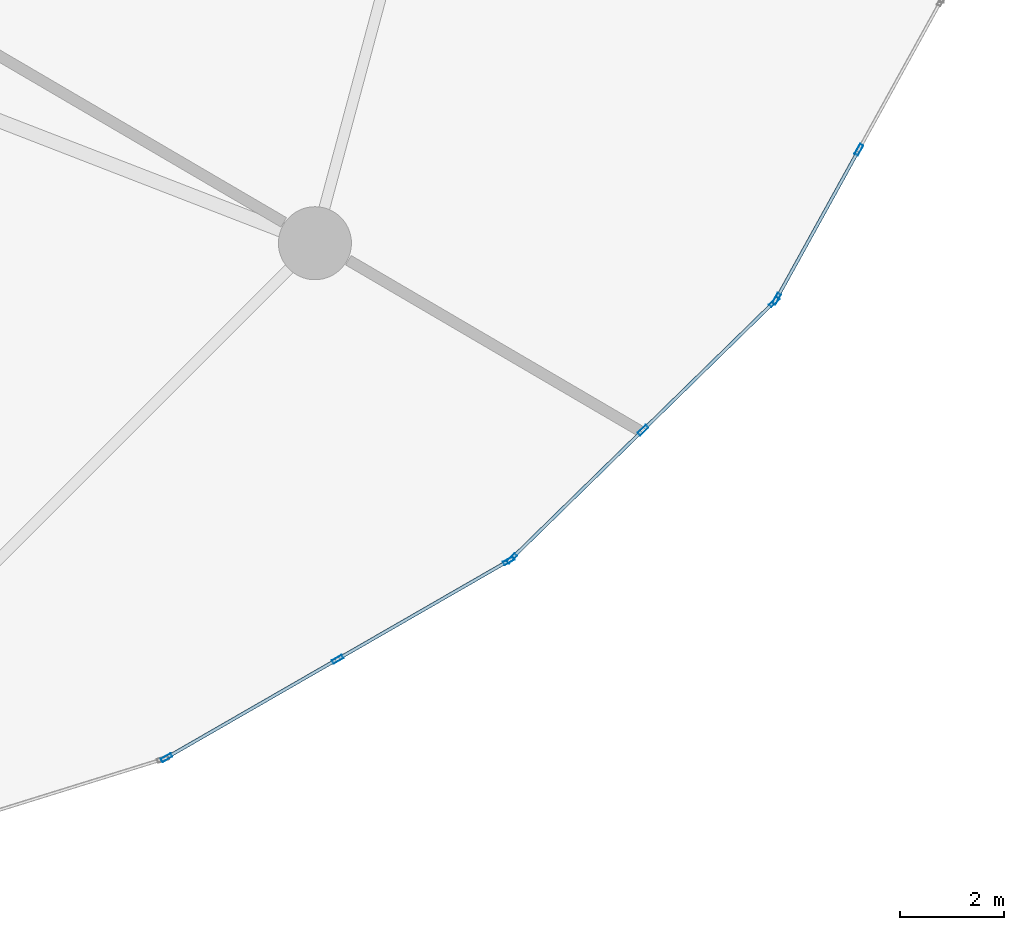
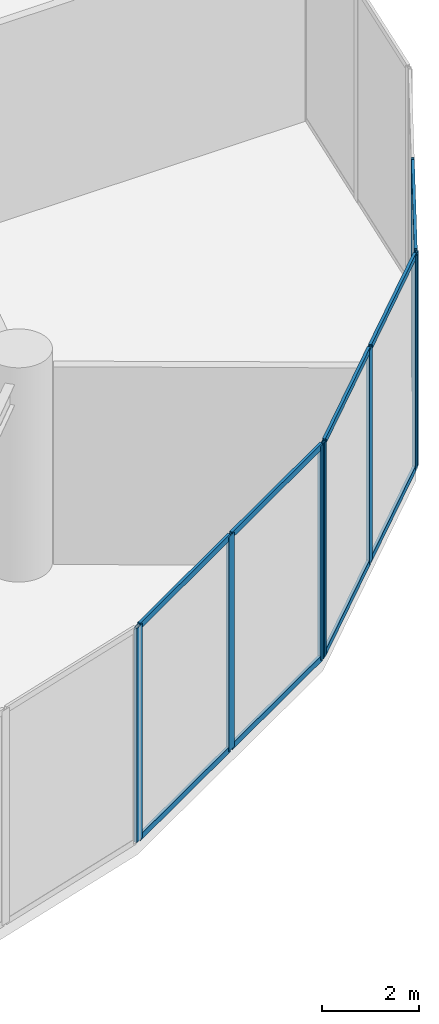
# One storey, part 11 of 29: 18 members, 3 elements without a shape of their own.
"""IFC4 building model written with IfcOpenShell, lengths in metres."""

from ifc_helpers import new_model, si_unit, direction, frame, origin, origin_2d, place, context, subcontext, project, spatial, hollow_rectangle, extrude, source, transform, mapped, material, layer, layer_set, material_profile, profile_set, type_object, element, aggregate, save


model = new_model("IFC4")

# Units and contexts
model_context = context("Model", 3, precision=1e-05, world=origin(), true_north=direction((0.0, 1.0)))
body_context = subcontext(model_context, "Body", "Model", "MODEL_VIEW")
ifc_project = project(units=[si_unit("LENGTHUNIT", "METRE"), si_unit("AREAUNIT", "SQUARE_METRE"), si_unit("VOLUMEUNIT", "CUBIC_METRE"), si_unit("PLANEANGLEUNIT", "RADIAN"), si_unit("MASSUNIT", "GRAM", prefix="KILO")], contexts=[model_context])

# Site, building, storey
site_placement = place(None, origin())
site = spatial("IfcSite", under=ifc_project, at=site_placement, CompositionType="ELEMENT")
building_placement = place(site_placement, origin())
building = spatial("IfcBuilding", under=site, at=building_placement, Name="Solvirekh Grand Hotel", CompositionType="ELEMENT")
storey_placement = place(building_placement, frame((0.0, 0.0, 7.199951171875)))
storey = spatial("IfcBuildingStorey", under=building, at=storey_placement, Name="L01", CompositionType="ELEMENT", Elevation=7.199951171875)

# Curtain wall, members
ifc_material = material(Name="Anodized Bronze Aluminium 6063-T6", Category="aluminium")
ifc_layer = layer(ifc_material, 0.219970703125)
ifc_layer_set = layer_set([ifc_layer], Name="Anodized Bronze Aluminium 6063-T6")
curtain_wall_type = type_object("IfcCurtainWallType", Name="CW_Sys1_PodiumBronzeUnitised", PredefinedType="NOTDEFINED", material=ifc_layer_set)
curtain_wall_1_placement = place(storey_placement, origin())
curtain_wall_1 = element("IfcCurtainWall", 1, at=curtain_wall_1_placement, inside=storey, type_object=curtain_wall_type, Name="L01 unitised bronze-glass curtain wall CW-L01-C21", PredefinedType="NOTDEFINED")
ifc_material_profile_1 = material_profile(ifc_material, hollow_rectangle(XDim=0.074951171875, YDim=0.219970703125, WallThickness=0.006103515625, at=origin_2d()), Name="ALU RHS 220X75X6")
ifc_profile_set_1 = profile_set([ifc_material_profile_1], Name="Anodized Bronze Aluminium 6063-T6")
member_type_1 = type_object("IfcMemberType", Name="CWMullion_Sys1", PredefinedType="MULLION", material=ifc_profile_set_1)
shared_shape_1 = source(origin(), body_context, "Body", "SweptSolid", [
    extrude(hollow_rectangle(XDim=0.074951171875, YDim=0.219970703125, WallThickness=0.006103515625, at=origin_2d()), origin(), (0.0, 0.0, 1.0), 5.400146484375),
])
member_1_placement = place(storey_placement, frame((16.032470703125, -20.766357421875, 0.0), z_axis=(0.0, 0.0, 1.0), x_axis=(-0.498812636829, 0.8667098438, 0.0)))
member_1 = element("IfcMember", 2, at=member_1_placement, type_object=member_type_1, Name="U01 mullion 1", PredefinedType="MULLION", context=body_context, shape_type="MappedRepresentation", body=[
    mapped(shared_shape_1, transform((0.0, 0.0, 0.0), x_axis=(1.0, 0.0, 0.0), y_axis=(0.0, 1.0, 0.0), z_axis=(0.0, 0.0, 1.0), scale=1.0)),
])
member_2_placement = place(storey_placement, frame((19.3134765625, -18.8779296875, 0.0), z_axis=(0.0, 0.0, 1.0), x_axis=(-0.498812636829, 0.8667098438, 0.0)))
member_2 = element("IfcMember", 3, at=member_2_placement, type_object=member_type_1, Name="U01 mullion 2", PredefinedType="MULLION", context=body_context, shape_type="MappedRepresentation", body=[
    mapped(shared_shape_1, transform((0.0, 0.0, 0.0), x_axis=(1.0, 0.0, 0.0), y_axis=(0.0, 1.0, 0.0), z_axis=(0.0, 0.0, 1.0), scale=1.0)),
])
member_3_placement = place(storey_placement, frame((22.594482421875, -16.98974609375, 0.0), z_axis=(0.0, 0.0, 1.0), x_axis=(-0.498812636829, 0.8667098438, 0.0)))
member_3 = element("IfcMember", 4, at=member_3_placement, type_object=member_type_1, Name="U01 mullion 3", PredefinedType="MULLION", context=body_context, shape_type="MappedRepresentation", body=[
    mapped(shared_shape_1, transform((0.0, 0.0, 0.0), x_axis=(1.0, 0.0, 0.0), y_axis=(0.0, 1.0, 0.0), z_axis=(0.0, 0.0, 1.0), scale=1.0)),
])

curtain_wall_2_placement = place(storey_placement, origin())
curtain_wall_2 = element("IfcCurtainWall", 5, at=curtain_wall_2_placement, inside=storey, type_object=curtain_wall_type, Name="L01 unitised bronze-glass curtain wall CW-L01-C22", PredefinedType="NOTDEFINED")
member_4_placement = place(storey_placement, frame((22.65380859375, -16.94482421875, 0.0), z_axis=(0.0, 0.0, 1.0), x_axis=(-0.698975445529, 0.715145668062, 0.0)))
member_4 = element("IfcMember", 6, at=member_4_placement, type_object=member_type_1, Name="U01 mullion 1", PredefinedType="MULLION", context=body_context, shape_type="MappedRepresentation", body=[
    mapped(shared_shape_1, transform((0.0, 0.0, 0.0), x_axis=(1.0, 0.0, 0.0), y_axis=(0.0, 1.0, 0.0), z_axis=(0.0, 0.0, 1.0), scale=1.0)),
])
member_5_placement = place(storey_placement, frame((25.169921875, -14.485595703125, 0.0), z_axis=(0.0, 0.0, 1.0), x_axis=(-0.698975445529, 0.715145668062, 0.0)))
member_5 = element("IfcMember", 7, at=member_5_placement, type_object=member_type_1, Name="U01 mullion 2", PredefinedType="MULLION", context=body_context, shape_type="MappedRepresentation", body=[
    mapped(shared_shape_1, transform((0.0, 0.0, 0.0), x_axis=(1.0, 0.0, 0.0), y_axis=(0.0, 1.0, 0.0), z_axis=(0.0, 0.0, 1.0), scale=1.0)),
])
member_6_placement = place(storey_placement, frame((27.686279296875, -12.026123046875, 0.0), z_axis=(0.0, 0.0, 1.0), x_axis=(-0.698975445529, 0.715145668062, 0.0)))
member_6 = element("IfcMember", 8, at=member_6_placement, type_object=member_type_1, Name="U01 mullion 3", PredefinedType="MULLION", context=body_context, shape_type="MappedRepresentation", body=[
    mapped(shared_shape_1, transform((0.0, 0.0, 0.0), x_axis=(1.0, 0.0, 0.0), y_axis=(0.0, 1.0, 0.0), z_axis=(0.0, 0.0, 1.0), scale=1.0)),
])

curtain_wall_3_placement = place(storey_placement, origin())
curtain_wall_3 = element("IfcCurtainWall", 9, at=curtain_wall_3_placement, inside=storey, type_object=curtain_wall_type, Name="L01 unitised bronze-glass curtain wall CW-L01-C23", PredefinedType="NOTDEFINED")
member_7_placement = place(storey_placement, frame((27.731201171875, -11.96728515625, 0.0), z_axis=(0.0, 0.0, 1.0), x_axis=(-0.875345975229, 0.48349707719, 0.0)))
member_7 = element("IfcMember", 10, at=member_7_placement, type_object=member_type_1, Name="U01 mullion 1", PredefinedType="MULLION", context=body_context, shape_type="MappedRepresentation", body=[
    mapped(shared_shape_1, transform((0.0, 0.0, 0.0), x_axis=(1.0, 0.0, 0.0), y_axis=(0.0, 1.0, 0.0), z_axis=(0.0, 0.0, 1.0), scale=1.0)),
])
member_8_placement = place(storey_placement, frame((29.3115234375, -9.10595703125, 0.0), z_axis=(0.0, 0.0, 1.0), x_axis=(-0.875345975229, 0.48349707719, 0.0)))
member_8 = element("IfcMember", 11, at=member_8_placement, type_object=member_type_1, Name="U01 mullion 2", PredefinedType="MULLION", context=body_context, shape_type="MappedRepresentation", body=[
    mapped(shared_shape_1, transform((0.0, 0.0, 0.0), x_axis=(1.0, 0.0, 0.0), y_axis=(0.0, 1.0, 0.0), z_axis=(0.0, 0.0, 1.0), scale=1.0)),
])
ifc_material_profile_2 = material_profile(ifc_material, hollow_rectangle(XDim=0.06494140625, YDim=0.14990234375, WallThickness=0.0048828125, at=origin_2d()), Name="ALU RHS 150X65X5")
ifc_profile_set_2 = profile_set([ifc_material_profile_2], Name="Anodized Bronze Aluminium 6063-T6")
member_type_2 = type_object("IfcMemberType", Name="CWTransom_Sys1", PredefinedType="USERDEFINED", material=ifc_profile_set_2)
shared_shape_2 = source(origin(), body_context, "Body", "SweptSolid", [
    extrude(hollow_rectangle(XDim=0.06494140625, YDim=0.14990234375, WallThickness=0.0048828125, at=origin_2d()), origin(), (0.0, 0.0, 1.0), 3.193603515625),
])
member_9_placement = place(storey_placement, frame((27.749267578125, -11.934326171875, 0.032470703125), z_axis=(0.483531992025, 0.875326689121, 0.0), x_axis=(-0.875326689121, 0.483531992025, 0.0)))
member_9 = element("IfcMember", 12, at=member_9_placement, type_object=member_type_2, Name="U01 transom 1.1", ObjectType="TRANSOM", PredefinedType="USERDEFINED", context=body_context, shape_type="MappedRepresentation", body=[
    mapped(shared_shape_2, transform((0.0, 0.0, 0.0), x_axis=(1.0, 0.0, 0.0), y_axis=(0.0, 1.0, 0.0), z_axis=(0.0, 0.0, 1.0), scale=1.0)),
])
member_10_placement = place(storey_placement, frame((27.749267578125, -11.934326171875, 5.367431640625), z_axis=(0.483531992025, 0.875326689121, 0.0), x_axis=(-0.875326689121, 0.483531992025, 0.0)))
member_10 = element("IfcMember", 13, at=member_10_placement, type_object=member_type_2, Name="U01 transom 1.2", ObjectType="TRANSOM", PredefinedType="USERDEFINED", context=body_context, shape_type="MappedRepresentation", body=[
    mapped(shared_shape_2, transform((0.0, 0.0, 0.0), x_axis=(1.0, 0.0, 0.0), y_axis=(0.0, 1.0, 0.0), z_axis=(0.0, 0.0, 1.0), scale=1.0)),
])
aggregate(curtain_wall_3, [member_7, member_8, member_9, member_10])

# Member
shared_shape_3 = source(origin(), body_context, "Body", "SweptSolid", [
    extrude(hollow_rectangle(XDim=0.06494140625, YDim=0.14990234375, WallThickness=0.0048828125, at=origin_2d()), origin(), (0.0, 0.0, 1.0), 3.443359375),
])
member_11_placement = place(storey_placement, frame((25.19677734375, -14.459228515625, 0.032470703125), z_axis=(0.715178342061, 0.698942014081, 0.0), x_axis=(-0.698942014081, 0.715178342061, 0.0)))
member_11 = element("IfcMember", 14, at=member_11_placement, type_object=member_type_2, Name="U01 transom 2.1", ObjectType="TRANSOM", PredefinedType="USERDEFINED", context=body_context, shape_type="MappedRepresentation", body=[
    mapped(shared_shape_3, transform((0.0, 0.0, 0.0), x_axis=(1.0, 0.0, 0.0), y_axis=(0.0, 1.0, 0.0), z_axis=(0.0, 0.0, 1.0), scale=1.0)),
])

member_12_placement = place(storey_placement, frame((25.19677734375, -14.459228515625, 5.367431640625), z_axis=(0.715178342061, 0.698942014081, 0.0), x_axis=(-0.698942014081, 0.715178342061, 0.0)))
member_12 = element("IfcMember", 15, at=member_12_placement, type_object=member_type_2, Name="U01 transom 2.2", ObjectType="TRANSOM", PredefinedType="USERDEFINED", context=body_context, shape_type="MappedRepresentation", body=[
    mapped(shared_shape_3, transform((0.0, 0.0, 0.0), x_axis=(1.0, 0.0, 0.0), y_axis=(0.0, 1.0, 0.0), z_axis=(0.0, 0.0, 1.0), scale=1.0)),
])

shared_shape_4 = source(origin(), body_context, "Body", "SweptSolid", [
    extrude(hollow_rectangle(XDim=0.06494140625, YDim=0.14990234375, WallThickness=0.0048828125, at=origin_2d()), origin(), (0.0, 0.0, 1.0), 3.443115234375),
])
member_13_placement = place(storey_placement, frame((22.6806640625, -16.91845703125, 0.032470703125), z_axis=(0.715143702876, 0.698977456172, 0.0), x_axis=(-0.698977456172, 0.715143702876, 0.0)))
member_13 = element("IfcMember", 16, at=member_13_placement, type_object=member_type_2, Name="U01 transom 1.1", ObjectType="TRANSOM", PredefinedType="USERDEFINED", context=body_context, shape_type="MappedRepresentation", body=[
    mapped(shared_shape_4, transform((0.0, 0.0, 0.0), x_axis=(1.0, 0.0, 0.0), y_axis=(0.0, 1.0, 0.0), z_axis=(0.0, 0.0, 1.0), scale=1.0)),
])

member_14_placement = place(storey_placement, frame((22.6806640625, -16.91845703125, 5.367431640625), z_axis=(0.715143702876, 0.698977456172, 0.0), x_axis=(-0.698977456172, 0.715143702876, 0.0)))
member_14 = element("IfcMember", 17, at=member_14_placement, type_object=member_type_2, Name="U01 transom 1.2", ObjectType="TRANSOM", PredefinedType="USERDEFINED", context=body_context, shape_type="MappedRepresentation", body=[
    mapped(shared_shape_4, transform((0.0, 0.0, 0.0), x_axis=(1.0, 0.0, 0.0), y_axis=(0.0, 1.0, 0.0), z_axis=(0.0, 0.0, 1.0), scale=1.0)),
])

aggregate(curtain_wall_2, [member_4, member_5, member_6, member_13, member_14, member_11, member_12])

shared_shape_5 = source(origin(), body_context, "Body", "SweptSolid", [
    extrude(hollow_rectangle(XDim=0.06494140625, YDim=0.14990234375, WallThickness=0.0048828125, at=origin_2d()), origin(), (0.0, 0.0, 1.0), 3.710693359375),
])
member_15_placement = place(storey_placement, frame((16.06494140625, -20.74755859375, 0.032470703125), z_axis=(0.866720724541, 0.498793730566, 0.0), x_axis=(-0.498793730566, 0.866720724541, 0.0)))
member_15 = element("IfcMember", 18, at=member_15_placement, type_object=member_type_2, Name="U01 transom 1.1", ObjectType="TRANSOM", PredefinedType="USERDEFINED", context=body_context, shape_type="MappedRepresentation", body=[
    mapped(shared_shape_5, transform((0.0, 0.0, 0.0), x_axis=(1.0, 0.0, 0.0), y_axis=(0.0, 1.0, 0.0), z_axis=(0.0, 0.0, 1.0), scale=1.0)),
])

member_16_placement = place(storey_placement, frame((16.06494140625, -20.74755859375, 5.367431640625), z_axis=(0.866720724541, 0.498793730566, 0.0), x_axis=(-0.498793730566, 0.866720724541, 0.0)))
member_16 = element("IfcMember", 19, at=member_16_placement, type_object=member_type_2, Name="U01 transom 1.2", ObjectType="TRANSOM", PredefinedType="USERDEFINED", context=body_context, shape_type="MappedRepresentation", body=[
    mapped(shared_shape_5, transform((0.0, 0.0, 0.0), x_axis=(1.0, 0.0, 0.0), y_axis=(0.0, 1.0, 0.0), z_axis=(0.0, 0.0, 1.0), scale=1.0)),
])

member_17_placement = place(storey_placement, frame((19.345947265625, -18.859375, 0.032470703125), z_axis=(0.866692279804, 0.498843153835, 0.0), x_axis=(-0.498843153835, 0.866692279804, 0.0)))
member_17 = element("IfcMember", 20, at=member_17_placement, type_object=member_type_2, Name="U01 transom 2.1", ObjectType="TRANSOM", PredefinedType="USERDEFINED", context=body_context, shape_type="MappedRepresentation", body=[
    mapped(shared_shape_5, transform((0.0, 0.0, 0.0), x_axis=(1.0, 0.0, 0.0), y_axis=(0.0, 1.0, 0.0), z_axis=(0.0, 0.0, 1.0), scale=1.0)),
])

member_18_placement = place(storey_placement, frame((19.345947265625, -18.859375, 5.367431640625), z_axis=(0.866692279804, 0.498843153835, 0.0), x_axis=(-0.498843153835, 0.866692279804, 0.0)))
member_18 = element("IfcMember", 21, at=member_18_placement, type_object=member_type_2, Name="U01 transom 2.2", ObjectType="TRANSOM", PredefinedType="USERDEFINED", context=body_context, shape_type="MappedRepresentation", body=[
    mapped(shared_shape_5, transform((0.0, 0.0, 0.0), x_axis=(1.0, 0.0, 0.0), y_axis=(0.0, 1.0, 0.0), z_axis=(0.0, 0.0, 1.0), scale=1.0)),
])

aggregate(curtain_wall_1, [member_1, member_2, member_3, member_15, member_16, member_17, member_18])

save(model, "model.ifc")
